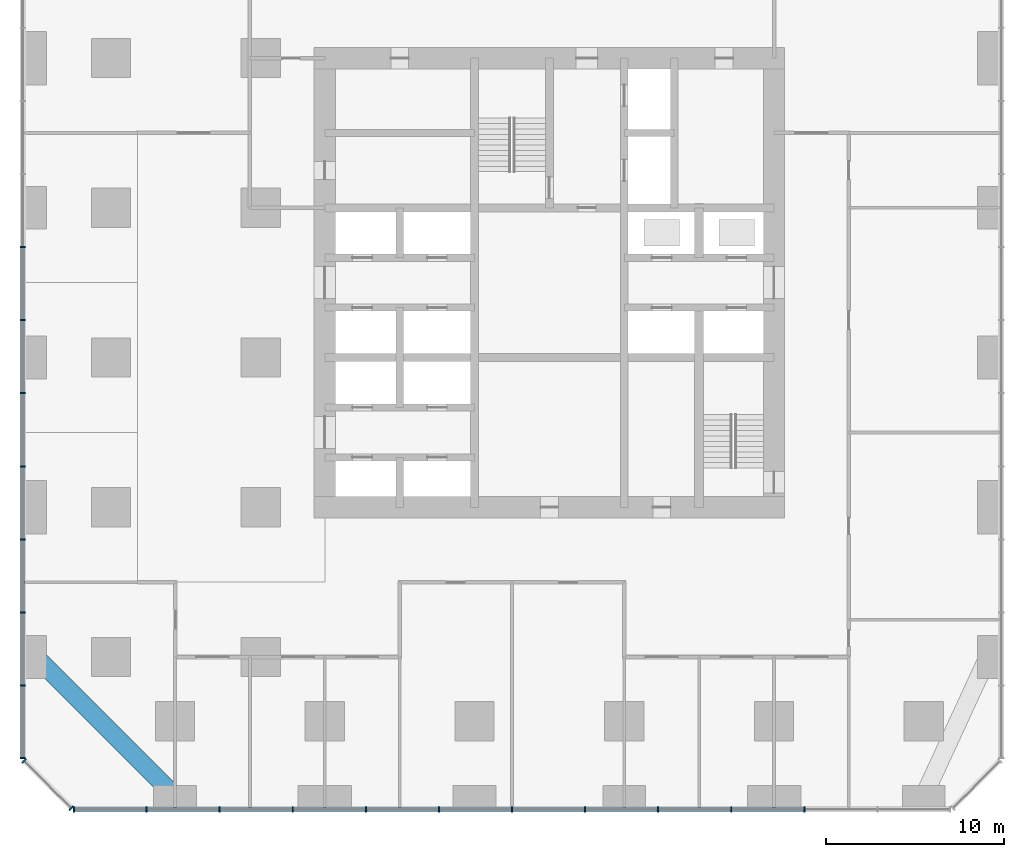
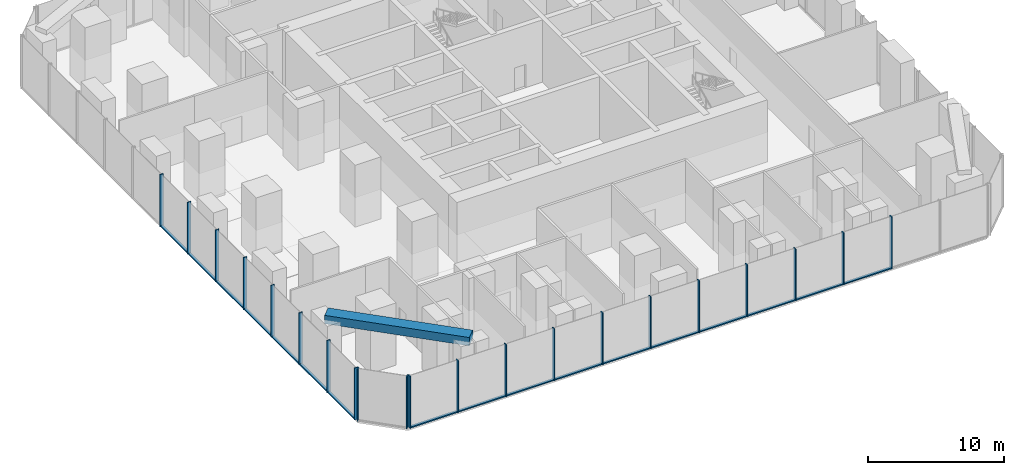
# One storey, part 2 of 13: 38 members, 1 beam, 3 elements without a shape of their own.
"""IFC4 building model written with IfcOpenShell, lengths in metres."""

from ifc_helpers import new_model, si_unit, direction, frame, origin, origin_2d, place, context, subcontext, project, spatial, rectangle, extrude, material, material_profile, profile_set, type_object, element, aggregate, save


model = new_model("IFC4")

# Units and contexts
model_context = context("Model", 3, precision=1e-05, world=origin(), true_north=direction((0.0, 1.0)))
body_context = subcontext(model_context, "Body", "Model", "MODEL_VIEW")
ifc_project = project(units=[si_unit("LENGTHUNIT", "METRE"), si_unit("AREAUNIT", "SQUARE_METRE"), si_unit("VOLUMEUNIT", "CUBIC_METRE"), si_unit("PLANEANGLEUNIT", "RADIAN"), si_unit("MASSUNIT", "GRAM", prefix="KILO")], contexts=[model_context])

# Site, building, storey
site_placement = place(None, origin())
site = spatial("IfcSite", under=ifc_project, at=site_placement, CompositionType="ELEMENT")
building_placement = place(site_placement, origin())
building = spatial("IfcBuilding", under=site, at=building_placement, Name="Dunama Terrace Hotel", CompositionType="ELEMENT")
storey_placement = place(building_placement, frame((0.0, 0.0, 147.60009765625)))
storey = spatial("IfcBuildingStorey", under=building, at=storey_placement, Name="L38", CompositionType="ELEMENT", Elevation=147.60009765625)

# Curtain wall, members
ifc_material_1 = material(Name="Aluminium curtain wall system", Category="aluminium")
curtain_wall_type = type_object("IfcCurtainWallType", Name="Sky lobby glazing CW-F", PredefinedType="NOTDEFINED", material=ifc_material_1)
curtain_wall_1_placement = place(storey_placement, origin())
curtain_wall_1 = element("IfcCurtainWall", 1, at=curtain_wall_1_placement, inside=storey, type_object=curtain_wall_type, Name="Sky lobby glazing CW-F L38", PredefinedType="NOTDEFINED")
ifc_material_2 = material(Name="Aluminium mullion", Category="aluminium")
ifc_material_profile_1 = material_profile(ifc_material_2, rectangle(XDim=0.080078125, YDim=0.300048828125, at=origin_2d()), Name="CWF MULLION 80X300")
ifc_profile_set_1 = profile_set([ifc_material_profile_1], Name="Aluminium mullion")
member_type_1 = type_object("IfcMemberType", Name="CWF mullion 80x300", PredefinedType="MULLION", material=ifc_profile_set_1)
member_1_placement = place(storey_placement, frame((2.739990234375, -0.14990234375, 0.0), z_axis=(0.0, 0.0, 1.0), x_axis=(1.0, 0.0, 0.0)))
member_1 = element("IfcMember", 2, at=member_1_placement, type_object=member_type_1, Name="CWF mullion", PredefinedType="MULLION", context=body_context, shape_type="SweptSolid", body=[
    extrude(rectangle(XDim=0.080078125, YDim=0.300048828125, at=origin_2d()), origin(), (0.0, 0.0, 1.0), 4.678955078125),
])
member_2_placement = place(storey_placement, frame((6.800048828125, -0.14990234375, 0.0), z_axis=(0.0, 0.0, 1.0), x_axis=(1.0, 0.0, 0.0)))
member_2 = element("IfcMember", 3, at=member_2_placement, type_object=member_type_1, Name="CWF mullion", PredefinedType="MULLION", context=body_context, shape_type="SweptSolid", body=[
    extrude(rectangle(XDim=0.080078125, YDim=0.300048828125, at=origin_2d()), origin(), (0.0, 0.0, 1.0), 4.678955078125),
])
member_3_placement = place(storey_placement, frame((10.89990234375, -0.14990234375, 0.0), z_axis=(0.0, 0.0, 1.0), x_axis=(1.0, 0.0, 0.0)))
member_3 = element("IfcMember", 4, at=member_3_placement, type_object=member_type_1, Name="CWF mullion", PredefinedType="MULLION", context=body_context, shape_type="SweptSolid", body=[
    extrude(rectangle(XDim=0.080078125, YDim=0.300048828125, at=origin_2d()), origin(), (0.0, 0.0, 1.0), 4.678955078125),
])
member_4_placement = place(storey_placement, frame((15.0, -0.14990234375, 0.0), z_axis=(0.0, 0.0, 1.0), x_axis=(1.0, 0.0, 0.0)))
member_4 = element("IfcMember", 5, at=member_4_placement, type_object=member_type_1, Name="CWF mullion", PredefinedType="MULLION", context=body_context, shape_type="SweptSolid", body=[
    extrude(rectangle(XDim=0.080078125, YDim=0.300048828125, at=origin_2d()), origin(), (0.0, 0.0, 1.0), 4.678955078125),
])
member_5_placement = place(storey_placement, frame((19.10009765625, -0.14990234375, 0.0), z_axis=(0.0, 0.0, 1.0), x_axis=(1.0, 0.0, 0.0)))
member_5 = element("IfcMember", 6, at=member_5_placement, type_object=member_type_1, Name="CWF mullion", PredefinedType="MULLION", context=body_context, shape_type="SweptSolid", body=[
    extrude(rectangle(XDim=0.080078125, YDim=0.300048828125, at=origin_2d()), origin(), (0.0, 0.0, 1.0), 4.678955078125),
])
member_6_placement = place(storey_placement, frame((23.199951171875, -0.14990234375, 0.0), z_axis=(0.0, 0.0, 1.0), x_axis=(1.0, 0.0, 0.0)))
member_6 = element("IfcMember", 7, at=member_6_placement, type_object=member_type_1, Name="CWF mullion", PredefinedType="MULLION", context=body_context, shape_type="SweptSolid", body=[
    extrude(rectangle(XDim=0.080078125, YDim=0.300048828125, at=origin_2d()), origin(), (0.0, 0.0, 1.0), 4.678955078125),
])
member_7_placement = place(storey_placement, frame((27.300048828125, -0.14990234375, 0.0), z_axis=(0.0, 0.0, 1.0), x_axis=(1.0, 0.0, 0.0)))
member_7 = element("IfcMember", 8, at=member_7_placement, type_object=member_type_1, Name="CWF mullion", PredefinedType="MULLION", context=body_context, shape_type="SweptSolid", body=[
    extrude(rectangle(XDim=0.080078125, YDim=0.300048828125, at=origin_2d()), origin(), (0.0, 0.0, 1.0), 4.678955078125),
])
member_8_placement = place(storey_placement, frame((31.39990234375, -0.14990234375, 0.0), z_axis=(0.0, 0.0, 1.0), x_axis=(1.0, 0.0, 0.0)))
member_8 = element("IfcMember", 9, at=member_8_placement, type_object=member_type_1, Name="CWF mullion", PredefinedType="MULLION", context=body_context, shape_type="SweptSolid", body=[
    extrude(rectangle(XDim=0.080078125, YDim=0.300048828125, at=origin_2d()), origin(), (0.0, 0.0, 1.0), 4.678955078125),
])
member_9_placement = place(storey_placement, frame((35.5, -0.14990234375, 0.0), z_axis=(0.0, 0.0, 1.0), x_axis=(1.0, 0.0, 0.0)))
member_9 = element("IfcMember", 10, at=member_9_placement, type_object=member_type_1, Name="CWF mullion", PredefinedType="MULLION", context=body_context, shape_type="SweptSolid", body=[
    extrude(rectangle(XDim=0.080078125, YDim=0.300048828125, at=origin_2d()), origin(), (0.0, 0.0, 1.0), 4.678955078125),
])
member_10_placement = place(storey_placement, frame((39.60009765625, -0.14990234375, 0.0), z_axis=(0.0, 0.0, 1.0), x_axis=(1.0, 0.0, 0.0)))
member_10 = element("IfcMember", 11, at=member_10_placement, type_object=member_type_1, Name="CWF mullion", PredefinedType="MULLION", context=body_context, shape_type="SweptSolid", body=[
    extrude(rectangle(XDim=0.080078125, YDim=0.300048828125, at=origin_2d()), origin(), (0.0, 0.0, 1.0), 4.678955078125),
])
member_11_placement = place(storey_placement, frame((43.699951171875, -0.14990234375, 0.0), z_axis=(0.0, 0.0, 1.0), x_axis=(1.0, 0.0, 0.0)))
member_11 = element("IfcMember", 12, at=member_11_placement, type_object=member_type_1, Name="CWF mullion", PredefinedType="MULLION", context=body_context, shape_type="SweptSolid", body=[
    extrude(rectangle(XDim=0.080078125, YDim=0.300048828125, at=origin_2d()), origin(), (0.0, 0.0, 1.0), 4.678955078125),
])

curtain_wall_2_placement = place(storey_placement, origin())
curtain_wall_2 = element("IfcCurtainWall", 13, at=curtain_wall_2_placement, inside=storey, type_object=curtain_wall_type, Name="Sky lobby glazing CW-F L38", PredefinedType="NOTDEFINED")
member_12_placement = place(storey_placement, frame((-0.14990234375, 31.39990234375, 0.0), z_axis=(0.0, 0.0, 1.0), x_axis=(0.0, -1.0, 0.0)))
member_12 = element("IfcMember", 14, at=member_12_placement, type_object=member_type_1, Name="CWF mullion", PredefinedType="MULLION", context=body_context, shape_type="SweptSolid", body=[
    extrude(rectangle(XDim=0.080078125, YDim=0.300048828125, at=origin_2d()), origin(), (0.0, 0.0, 1.0), 4.678955078125),
])
member_13_placement = place(storey_placement, frame((-0.14990234375, 27.300048828125, 0.0), z_axis=(0.0, 0.0, 1.0), x_axis=(0.0, -1.0, 0.0)))
member_13 = element("IfcMember", 15, at=member_13_placement, type_object=member_type_1, Name="CWF mullion", PredefinedType="MULLION", context=body_context, shape_type="SweptSolid", body=[
    extrude(rectangle(XDim=0.080078125, YDim=0.300048828125, at=origin_2d()), origin(), (0.0, 0.0, 1.0), 4.678955078125),
])
member_14_placement = place(storey_placement, frame((-0.14990234375, 23.199951171875, 0.0), z_axis=(0.0, 0.0, 1.0), x_axis=(0.0, -1.0, 0.0)))
member_14 = element("IfcMember", 16, at=member_14_placement, type_object=member_type_1, Name="CWF mullion", PredefinedType="MULLION", context=body_context, shape_type="SweptSolid", body=[
    extrude(rectangle(XDim=0.080078125, YDim=0.300048828125, at=origin_2d()), origin(), (0.0, 0.0, 1.0), 4.678955078125),
])
member_15_placement = place(storey_placement, frame((-0.14990234375, 19.10009765625, 0.0), z_axis=(0.0, 0.0, 1.0), x_axis=(0.0, -1.0, 0.0)))
member_15 = element("IfcMember", 17, at=member_15_placement, type_object=member_type_1, Name="CWF mullion", PredefinedType="MULLION", context=body_context, shape_type="SweptSolid", body=[
    extrude(rectangle(XDim=0.080078125, YDim=0.300048828125, at=origin_2d()), origin(), (0.0, 0.0, 1.0), 4.678955078125),
])
member_16_placement = place(storey_placement, frame((-0.14990234375, 15.0, 0.0), z_axis=(0.0, 0.0, 1.0), x_axis=(0.0, -1.0, 0.0)))
member_16 = element("IfcMember", 18, at=member_16_placement, type_object=member_type_1, Name="CWF mullion", PredefinedType="MULLION", context=body_context, shape_type="SweptSolid", body=[
    extrude(rectangle(XDim=0.080078125, YDim=0.300048828125, at=origin_2d()), origin(), (0.0, 0.0, 1.0), 4.678955078125),
])
member_17_placement = place(storey_placement, frame((-0.14990234375, 10.89990234375, 0.0), z_axis=(0.0, 0.0, 1.0), x_axis=(0.0, -1.0, 0.0)))
member_17 = element("IfcMember", 19, at=member_17_placement, type_object=member_type_1, Name="CWF mullion", PredefinedType="MULLION", context=body_context, shape_type="SweptSolid", body=[
    extrude(rectangle(XDim=0.080078125, YDim=0.300048828125, at=origin_2d()), origin(), (0.0, 0.0, 1.0), 4.678955078125),
])
member_18_placement = place(storey_placement, frame((-0.14990234375, 6.800048828125, 0.0), z_axis=(0.0, 0.0, 1.0), x_axis=(0.0, -1.0, 0.0)))
member_18 = element("IfcMember", 20, at=member_18_placement, type_object=member_type_1, Name="CWF mullion", PredefinedType="MULLION", context=body_context, shape_type="SweptSolid", body=[
    extrude(rectangle(XDim=0.080078125, YDim=0.300048828125, at=origin_2d()), origin(), (0.0, 0.0, 1.0), 4.678955078125),
])
member_19_placement = place(storey_placement, frame((-0.14990234375, 2.739990234375, 0.0), z_axis=(0.0, 0.0, 1.0), x_axis=(0.0, -1.0, 0.0)))
member_19 = element("IfcMember", 21, at=member_19_placement, type_object=member_type_1, Name="CWF mullion", PredefinedType="MULLION", context=body_context, shape_type="SweptSolid", body=[
    extrude(rectangle(XDim=0.080078125, YDim=0.300048828125, at=origin_2d()), origin(), (0.0, 0.0, 1.0), 4.678955078125),
])

curtain_wall_3_placement = place(storey_placement, origin())
curtain_wall_3 = element("IfcCurtainWall", 22, at=curtain_wall_3_placement, inside=storey, type_object=curtain_wall_type, Name="Sky lobby glazing CW-F L38", PredefinedType="NOTDEFINED")
member_20_placement = place(storey_placement, frame((-0.077880859375, 2.56591796875, 0.0), z_axis=(0.0, 0.0, 1.0), x_axis=(0.707106781187, -0.707106781187, 0.0)))
member_20 = element("IfcMember", 23, at=member_20_placement, type_object=member_type_1, Name="CWF mullion", PredefinedType="MULLION", context=body_context, shape_type="SweptSolid", body=[
    extrude(rectangle(XDim=0.080078125, YDim=0.300048828125, at=origin_2d()), origin(), (0.0, 0.0, 1.0), 4.678955078125),
])
member_21_placement = place(storey_placement, frame((2.56591796875, -0.077880859375, 0.0), z_axis=(0.0, 0.0, 1.0), x_axis=(0.707106781187, -0.707106781187, 0.0)))
member_21 = element("IfcMember", 24, at=member_21_placement, type_object=member_type_1, Name="CWF mullion", PredefinedType="MULLION", context=body_context, shape_type="SweptSolid", body=[
    extrude(rectangle(XDim=0.080078125, YDim=0.300048828125, at=origin_2d()), origin(), (0.0, 0.0, 1.0), 4.678955078125),
])
aggregate(curtain_wall_3, [member_20, member_21])

# Member
ifc_material_3 = material(Name="Aluminium transom", Category="aluminium")
ifc_material_profile_2 = material_profile(ifc_material_3, rectangle(XDim=0.219970703125, YDim=0.10009765625, at=origin_2d()), Name="CWF TRANSOM 220X100")
ifc_profile_set_2 = profile_set([ifc_material_profile_2], Name="Aluminium transom")
member_type_2 = type_object("IfcMemberType", Name="CWF transom 220x100", PredefinedType="USERDEFINED", material=ifc_profile_set_2)
member_22_placement = place(storey_placement, frame((2.780029296875, -0.14990234375, 0.0498046875), z_axis=(1.0, 0.0, 0.0), x_axis=(0.0, 1.0, 0.0)))
member_22 = element("IfcMember", 25, at=member_22_placement, type_object=member_type_2, Name="CWF transom", ObjectType="TRANSOM", PredefinedType="USERDEFINED", context=body_context, shape_type="SweptSolid", body=[
    extrude(rectangle(XDim=0.219970703125, YDim=0.10009765625, at=origin_2d()), origin(), (0.0, 0.0, 1.0), 3.97998046875),
])

member_23_placement = place(storey_placement, frame((6.840087890625, -0.14990234375, 0.0498046875), z_axis=(1.0, 0.0, 0.0), x_axis=(0.0, 1.0, 0.0)))
member_23 = element("IfcMember", 26, at=member_23_placement, type_object=member_type_2, Name="CWF transom", ObjectType="TRANSOM", PredefinedType="USERDEFINED", context=body_context, shape_type="SweptSolid", body=[
    extrude(rectangle(XDim=0.219970703125, YDim=0.10009765625, at=origin_2d()), origin(), (0.0, 0.0, 1.0), 4.02001953125),
])

member_24_placement = place(storey_placement, frame((10.93994140625, -0.14990234375, 0.0498046875), z_axis=(1.0, 0.0, 0.0), x_axis=(0.0, 1.0, 0.0)))
member_24 = element("IfcMember", 27, at=member_24_placement, type_object=member_type_2, Name="CWF transom", ObjectType="TRANSOM", PredefinedType="USERDEFINED", context=body_context, shape_type="SweptSolid", body=[
    extrude(rectangle(XDim=0.219970703125, YDim=0.10009765625, at=origin_2d()), origin(), (0.0, 0.0, 1.0), 4.02001953125),
])

member_25_placement = place(storey_placement, frame((15.0400390625, -0.14990234375, 0.0498046875), z_axis=(1.0, 0.0, 0.0), x_axis=(0.0, 1.0, 0.0)))
member_25 = element("IfcMember", 28, at=member_25_placement, type_object=member_type_2, Name="CWF transom", ObjectType="TRANSOM", PredefinedType="USERDEFINED", context=body_context, shape_type="SweptSolid", body=[
    extrude(rectangle(XDim=0.219970703125, YDim=0.10009765625, at=origin_2d()), origin(), (0.0, 0.0, 1.0), 4.02001953125),
])

member_26_placement = place(storey_placement, frame((19.139892578125, -0.14990234375, 0.0498046875), z_axis=(1.0, 0.0, 0.0), x_axis=(0.0, 1.0, 0.0)))
member_26 = element("IfcMember", 29, at=member_26_placement, type_object=member_type_2, Name="CWF transom", ObjectType="TRANSOM", PredefinedType="USERDEFINED", context=body_context, shape_type="SweptSolid", body=[
    extrude(rectangle(XDim=0.219970703125, YDim=0.10009765625, at=origin_2d()), origin(), (0.0, 0.0, 1.0), 4.02001953125),
])

member_27_placement = place(storey_placement, frame((23.239990234375, -0.14990234375, 0.0498046875), z_axis=(1.0, 0.0, 0.0), x_axis=(0.0, 1.0, 0.0)))
member_27 = element("IfcMember", 30, at=member_27_placement, type_object=member_type_2, Name="CWF transom", ObjectType="TRANSOM", PredefinedType="USERDEFINED", context=body_context, shape_type="SweptSolid", body=[
    extrude(rectangle(XDim=0.219970703125, YDim=0.10009765625, at=origin_2d()), origin(), (0.0, 0.0, 1.0), 4.02001953125),
])

member_28_placement = place(storey_placement, frame((27.340087890625, -0.14990234375, 0.0498046875), z_axis=(1.0, 0.0, 0.0), x_axis=(0.0, 1.0, 0.0)))
member_28 = element("IfcMember", 31, at=member_28_placement, type_object=member_type_2, Name="CWF transom", ObjectType="TRANSOM", PredefinedType="USERDEFINED", context=body_context, shape_type="SweptSolid", body=[
    extrude(rectangle(XDim=0.219970703125, YDim=0.10009765625, at=origin_2d()), origin(), (0.0, 0.0, 1.0), 4.02001953125),
])

member_29_placement = place(storey_placement, frame((31.43994140625, -0.14990234375, 0.0498046875), z_axis=(1.0, 0.0, 0.0), x_axis=(0.0, 1.0, 0.0)))
member_29 = element("IfcMember", 32, at=member_29_placement, type_object=member_type_2, Name="CWF transom", ObjectType="TRANSOM", PredefinedType="USERDEFINED", context=body_context, shape_type="SweptSolid", body=[
    extrude(rectangle(XDim=0.219970703125, YDim=0.10009765625, at=origin_2d()), origin(), (0.0, 0.0, 1.0), 4.02001953125),
])

member_30_placement = place(storey_placement, frame((35.5400390625, -0.14990234375, 0.0498046875), z_axis=(1.0, 0.0, 0.0), x_axis=(0.0, 1.0, 0.0)))
member_30 = element("IfcMember", 33, at=member_30_placement, type_object=member_type_2, Name="CWF transom", ObjectType="TRANSOM", PredefinedType="USERDEFINED", context=body_context, shape_type="SweptSolid", body=[
    extrude(rectangle(XDim=0.219970703125, YDim=0.10009765625, at=origin_2d()), origin(), (0.0, 0.0, 1.0), 4.02001953125),
])

member_31_placement = place(storey_placement, frame((39.639892578125, -0.14990234375, 0.0498046875), z_axis=(1.0, 0.0, 0.0), x_axis=(0.0, 1.0, 0.0)))
member_31 = element("IfcMember", 34, at=member_31_placement, type_object=member_type_2, Name="CWF transom", ObjectType="TRANSOM", PredefinedType="USERDEFINED", context=body_context, shape_type="SweptSolid", body=[
    extrude(rectangle(XDim=0.219970703125, YDim=0.10009765625, at=origin_2d()), origin(), (0.0, 0.0, 1.0), 4.02001953125),
])

aggregate(curtain_wall_1, [member_1, member_2, member_3, member_4, member_5, member_6, member_7, member_8, member_9, member_10, member_11, member_22, member_23, member_24, member_25, member_26, member_27, member_28, member_29, member_30, member_31])

member_32_placement = place(storey_placement, frame((-0.14990234375, 31.360107421875, 0.0498046875), z_axis=(0.0, -1.0, 0.0), x_axis=(1.0, 0.0, 0.0)))
member_32 = element("IfcMember", 35, at=member_32_placement, type_object=member_type_2, Name="CWF transom", ObjectType="TRANSOM", PredefinedType="USERDEFINED", context=body_context, shape_type="SweptSolid", body=[
    extrude(rectangle(XDim=0.219970703125, YDim=0.10009765625, at=origin_2d()), origin(), (0.0, 0.0, 1.0), 4.02001953125),
])

member_33_placement = place(storey_placement, frame((-0.14990234375, 27.260009765625, 0.0498046875), z_axis=(0.0, -1.0, 0.0), x_axis=(1.0, 0.0, 0.0)))
member_33 = element("IfcMember", 36, at=member_33_placement, type_object=member_type_2, Name="CWF transom", ObjectType="TRANSOM", PredefinedType="USERDEFINED", context=body_context, shape_type="SweptSolid", body=[
    extrude(rectangle(XDim=0.219970703125, YDim=0.10009765625, at=origin_2d()), origin(), (0.0, 0.0, 1.0), 4.02001953125),
])

member_34_placement = place(storey_placement, frame((-0.14990234375, 23.159912109375, 0.0498046875), z_axis=(0.0, -1.0, 0.0), x_axis=(1.0, 0.0, 0.0)))
member_34 = element("IfcMember", 37, at=member_34_placement, type_object=member_type_2, Name="CWF transom", ObjectType="TRANSOM", PredefinedType="USERDEFINED", context=body_context, shape_type="SweptSolid", body=[
    extrude(rectangle(XDim=0.219970703125, YDim=0.10009765625, at=origin_2d()), origin(), (0.0, 0.0, 1.0), 4.02001953125),
])

member_35_placement = place(storey_placement, frame((-0.14990234375, 19.06005859375, 0.0498046875), z_axis=(0.0, -1.0, 0.0), x_axis=(1.0, 0.0, 0.0)))
member_35 = element("IfcMember", 38, at=member_35_placement, type_object=member_type_2, Name="CWF transom", ObjectType="TRANSOM", PredefinedType="USERDEFINED", context=body_context, shape_type="SweptSolid", body=[
    extrude(rectangle(XDim=0.219970703125, YDim=0.10009765625, at=origin_2d()), origin(), (0.0, 0.0, 1.0), 4.02001953125),
])

member_36_placement = place(storey_placement, frame((-0.14990234375, 14.9599609375, 0.0498046875), z_axis=(0.0, -1.0, 0.0), x_axis=(1.0, 0.0, 0.0)))
member_36 = element("IfcMember", 39, at=member_36_placement, type_object=member_type_2, Name="CWF transom", ObjectType="TRANSOM", PredefinedType="USERDEFINED", context=body_context, shape_type="SweptSolid", body=[
    extrude(rectangle(XDim=0.219970703125, YDim=0.10009765625, at=origin_2d()), origin(), (0.0, 0.0, 1.0), 4.02001953125),
])

member_37_placement = place(storey_placement, frame((-0.14990234375, 10.860107421875, 0.0498046875), z_axis=(0.0, -1.0, 0.0), x_axis=(1.0, 0.0, 0.0)))
member_37 = element("IfcMember", 40, at=member_37_placement, type_object=member_type_2, Name="CWF transom", ObjectType="TRANSOM", PredefinedType="USERDEFINED", context=body_context, shape_type="SweptSolid", body=[
    extrude(rectangle(XDim=0.219970703125, YDim=0.10009765625, at=origin_2d()), origin(), (0.0, 0.0, 1.0), 4.02001953125),
])

member_38_placement = place(storey_placement, frame((-0.14990234375, 6.760009765625, 0.0498046875), z_axis=(0.0, -1.0, 0.0), x_axis=(1.0, 0.0, 0.0)))
member_38 = element("IfcMember", 41, at=member_38_placement, type_object=member_type_2, Name="CWF transom", ObjectType="TRANSOM", PredefinedType="USERDEFINED", context=body_context, shape_type="SweptSolid", body=[
    extrude(rectangle(XDim=0.219970703125, YDim=0.10009765625, at=origin_2d()), origin(), (0.0, 0.0, 1.0), 3.97998046875),
])

aggregate(curtain_wall_2, [member_12, member_13, member_14, member_15, member_16, member_17, member_18, member_19, member_32, member_33, member_34, member_35, member_36, member_37, member_38])

# Beam
ifc_material_4 = material(Name="Concrete C50/60", Category="concrete")
ifc_material_profile_3 = material_profile(ifc_material_4, rectangle(XDim=1.0, YDim=0.75, at=origin_2d()), Name="RC 1000x750")
ifc_profile_set_3 = profile_set([ifc_material_profile_3], Name="Concrete C50/60")
beam_type = type_object("IfcBeamType", Name="Edge beam RC 1000x750", PredefinedType="SPANDREL", material=ifc_profile_set_3)
beam_placement = place(storey_placement, frame((8.39990234375, 0.60009765625, 5.625), z_axis=(-0.707106781187, 0.707106781187, 0.0), x_axis=(-0.707106781187, -0.707106781187, 0.0)))
element("IfcBeam", 42, at=beam_placement, inside=storey, type_object=beam_type, Name="Corner edge beam under L39", PredefinedType="SPANDREL", context=body_context, shape_type="SweptSolid", body=[
    extrude(rectangle(XDim=1.0, YDim=0.75, at=origin_2d()), origin(), (0.0, 0.0, 1.0), 11.030517578125),
])

save(model, "model.ifc")
